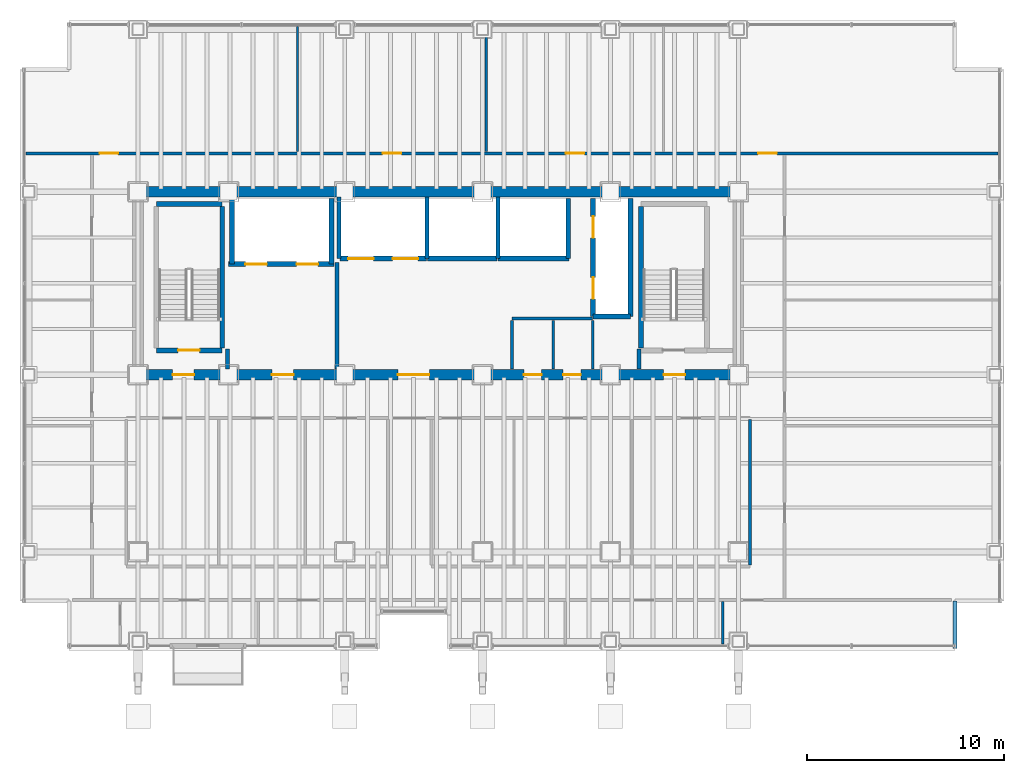
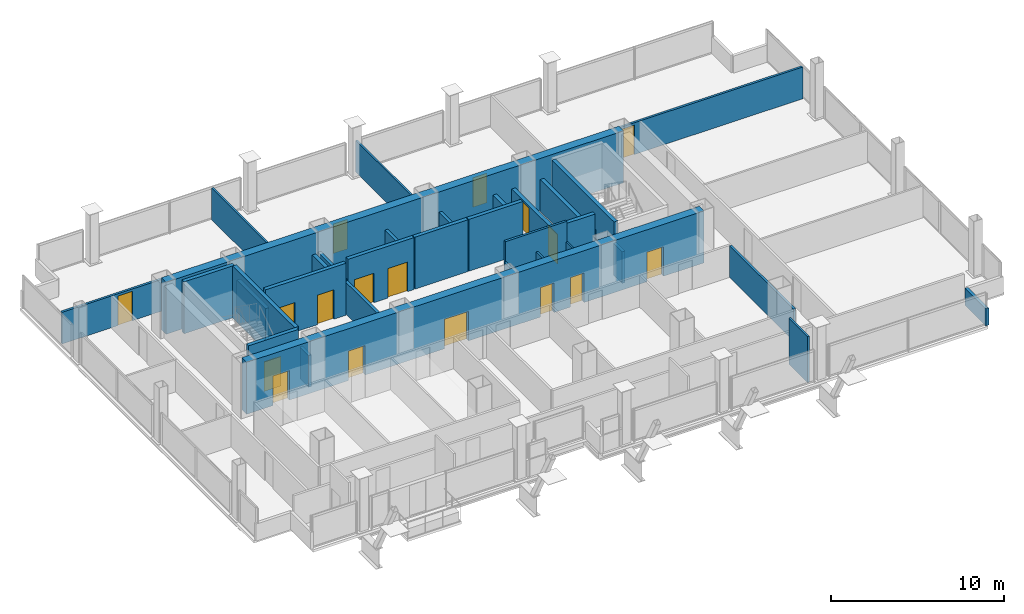
# One storey, part 19 of 21: 32 walls, 17 doors, 17 openings.
"""IFC4 building model written with IfcOpenShell, lengths in metres."""

from ifc_helpers import new_model, si_unit, direction, frame, frame_2d, origin, place, context, subcontext, project, spatial, rectangle, extrude, material, layer, layer_set, type_object, element, fill, save


model = new_model("IFC4")

# Units and contexts
model_context = context("Model", 3, precision=1e-05, world=origin(), true_north=direction((0.0, 1.0)))
body_context = subcontext(model_context, "Body", "Model", "MODEL_VIEW")
ifc_project = project(units=[si_unit("LENGTHUNIT", "METRE"), si_unit("AREAUNIT", "SQUARE_METRE"), si_unit("VOLUMEUNIT", "CUBIC_METRE"), si_unit("PLANEANGLEUNIT", "RADIAN"), si_unit("MASSUNIT", "GRAM", prefix="KILO")], contexts=[model_context])

# Site, building, storey
site_placement = place(None, origin())
site = spatial("IfcSite", under=ifc_project, at=site_placement, CompositionType="ELEMENT")
building_placement = place(site_placement, origin())
building = spatial("IfcBuilding", under=site, at=building_placement, Name="Noeulbin Bourse Tower", CompositionType="ELEMENT")
storey_placement = place(building_placement, frame((0.0, 0.0, 77.199951171875)))
storey = spatial("IfcBuildingStorey", under=building, at=storey_placement, Name="L19", CompositionType="ELEMENT", Elevation=77.199951171875)

# Wall, openings, doors
ifc_material_1 = material(Name="Concrete C60/75", Category="concrete")
ifc_layer_1 = layer(ifc_material_1, 0.550048828125)
ifc_layer_set_1 = layer_set([ifc_layer_1], Name="Concrete C60/75")
wall_type_1 = type_object("IfcWallType", Name="WAL-CORE-550", PredefinedType="SHEAR", material=ifc_layer_set_1)
wall_1_placement = place(storey_placement, frame((13.5, 29.0, 0.0), z_axis=(0.0, 0.0, 1.0), x_axis=(1.0, 0.0, 0.0)))
wall_1 = element("IfcWall", 1, at=wall_1_placement, inside=storey, type_object=wall_type_1, Name="Rear Core South Shear Wall L19", PredefinedType="SHEAR", context=body_context, shape_type="SweptSolid", body=[
    extrude(rectangle(XDim=30.5, YDim=0.550048828125, at=frame_2d((15.25, 0.0))), origin(), (0.0, 0.0, 1.0), 3.66015625),
])
opening_1_placement = place(wall_1_placement, frame((1.75, 0.0, 0.0)))
opening_1 = element("IfcOpeningElement", 2, at=opening_1_placement, cuts=wall_1, Name="Opening FD-11", PredefinedType="OPENING", context=body_context, shape_type="SweptSolid", body=[
    extrude(rectangle(XDim=1.10009765625, YDim=2.080078125, at=frame_2d((0.550048828125, 1.0400390625))), frame((0.0, 0.284912109375, 0.0), z_axis=(0.0, -1.0, 0.0), x_axis=(1.0, 0.0, 0.0)), (0.0, 0.0, 1.0), 0.570068359375),
])
opening_2_placement = place(wall_1_placement, frame((26.699951171875, 0.0, 0.0)))
opening_2 = element("IfcOpeningElement", 3, at=opening_2_placement, cuts=wall_1, Name="Opening FD-11", PredefinedType="OPENING", context=body_context, shape_type="SweptSolid", body=[
    extrude(rectangle(XDim=1.10009765625, YDim=2.080078125, at=frame_2d((0.550048828125, 1.0400390625))), frame((0.0, 0.284912109375, 0.0), z_axis=(0.0, -1.0, 0.0), x_axis=(1.0, 0.0, 0.0)), (0.0, 0.0, 1.0), 0.570068359375),
])
opening_3_placement = place(wall_1_placement, frame((6.800048828125, 0.0, 0.0)))
opening_3 = element("IfcOpeningElement", 4, at=opening_3_placement, cuts=wall_1, Name="Opening FD-11", PredefinedType="OPENING", context=body_context, shape_type="SweptSolid", body=[
    extrude(rectangle(XDim=1.10009765625, YDim=2.080078125, at=frame_2d((0.550048828125, 1.0400390625))), frame((0.0, 0.284912109375, 0.0), z_axis=(0.0, -1.0, 0.0), x_axis=(1.0, 0.0, 0.0)), (0.0, 0.0, 1.0), 0.570068359375),
])
opening_4_placement = place(wall_1_placement, frame((13.199951171875, 0.0, 0.0)))
opening_4 = element("IfcOpeningElement", 5, at=opening_4_placement, cuts=wall_1, Name="Opening ID-16", PredefinedType="OPENING", context=body_context, shape_type="SweptSolid", body=[
    extrude(rectangle(XDim=1.60009765625, YDim=2.080078125, at=frame_2d((0.800048828125, 1.0400390625))), frame((0.0, 0.284912109375, 0.0), z_axis=(0.0, -1.0, 0.0), x_axis=(1.0, 0.0, 0.0)), (0.0, 0.0, 1.0), 0.570068359375),
])
opening_5_placement = place(wall_1_placement, frame((19.60009765625, 0.0, 0.0)))
opening_5 = element("IfcOpeningElement", 6, at=opening_5_placement, cuts=wall_1, Name="Opening FD-09", PredefinedType="OPENING", context=body_context, shape_type="SweptSolid", body=[
    extrude(rectangle(XDim=0.89990234375, YDim=2.080078125, at=frame_2d((0.449951171875, 1.0400390625))), frame((0.0, 0.284912109375, 0.0), z_axis=(0.0, -1.0, 0.0), x_axis=(1.0, 0.0, 0.0)), (0.0, 0.0, 1.0), 0.570068359375),
])
opening_6_placement = place(wall_1_placement, frame((21.60009765625, 0.0, 0.0)))
opening_6 = element("IfcOpeningElement", 7, at=opening_6_placement, cuts=wall_1, Name="Opening FD-09", PredefinedType="OPENING", context=body_context, shape_type="SweptSolid", body=[
    extrude(rectangle(XDim=0.89990234375, YDim=2.080078125, at=frame_2d((0.449951171875, 1.0400390625))), frame((0.0, 0.284912109375, 0.0), z_axis=(0.0, -1.0, 0.0), x_axis=(1.0, 0.0, 0.0)), (0.0, 0.0, 1.0), 0.570068359375),
])
ifc_material_2 = material(Name="Acoustic Glazed Aluminium", Category="aluminium")
door_type_1 = type_object("IfcDoorType", Name="DR-DBL-1600", OperationType="DOUBLE_DOOR_SINGLE_SWING", PredefinedType="DOOR", material=ifc_material_2)
door_1_placement = place(opening_4_placement, origin())
door_1 = element("IfcDoor", 8, at=door_1_placement, inside=storey, type_object=door_type_1, Name="Passenger Lift Lobby Portal L19", OperationType="DOUBLE_DOOR_SINGLE_SWING", OverallHeight=2.080078125, OverallWidth=1.60009765625, PredefinedType="DOOR", context=body_context, shape_type="SweptSolid", body=[
    extrude(rectangle(XDim=1.60009765625, YDim=2.080078125, at=frame_2d((0.800048828125, 1.0400390625))), frame((0.0, 0.02490234375, 0.0), z_axis=(0.0, -1.0, 0.0), x_axis=(1.0, 0.0, 0.0)), (0.0, 0.0, 1.0), 0.050048828125),
])
fill(opening_4, door_1)
ifc_material_3 = material(Name="Fire-Rated Timber Core", Category="wood")
door_type_2 = type_object("IfcDoorType", Name="DR-FD30-900", OperationType="SINGLE_SWING_RIGHT", PredefinedType="DOOR", material=ifc_material_3)
door_2_placement = place(opening_5_placement, origin())
door_2 = element("IfcDoor", 9, at=door_2_placement, inside=storey, type_object=door_type_2, Name="Interior Door L19-05", OperationType="SINGLE_SWING_LEFT", OverallHeight=2.080078125, OverallWidth=0.89990234375, PredefinedType="DOOR", context=body_context, shape_type="SweptSolid", body=[
    extrude(rectangle(XDim=0.89990234375, YDim=2.080078125, at=frame_2d((0.449951171875, 1.0400390625))), frame((0.0, 0.02490234375, 0.0), z_axis=(0.0, -1.0, 0.0), x_axis=(1.0, 0.0, 0.0)), (0.0, 0.0, 1.0), 0.050048828125),
])
fill(opening_5, door_2)
door_3_placement = place(opening_6_placement, origin())
door_3 = element("IfcDoor", 10, at=door_3_placement, inside=storey, type_object=door_type_2, Name="Interior Door L19-06", OperationType="SINGLE_SWING_RIGHT", OverallHeight=2.080078125, OverallWidth=0.89990234375, PredefinedType="DOOR", context=body_context, shape_type="SweptSolid", body=[
    extrude(rectangle(XDim=0.89990234375, YDim=2.080078125, at=frame_2d((0.449951171875, 1.0400390625))), frame((0.0, 0.02490234375, 0.0), z_axis=(0.0, -1.0, 0.0), x_axis=(1.0, 0.0, 0.0)), (0.0, 0.0, 1.0), 0.050048828125),
])
fill(opening_6, door_3)
ifc_material_4 = material(Name="Fire-Rated Insulated Steel", Category="steel")
door_type_3 = type_object("IfcDoorType", Name="DR-FD60-1100", OperationType="SINGLE_SWING_LEFT", PredefinedType="DOOR", material=ifc_material_4)
door_4_placement = place(opening_1_placement, origin())
door_4 = element("IfcDoor", 11, at=door_4_placement, inside=storey, type_object=door_type_3, Name="West Stair Lobby Door L19", OperationType="SINGLE_SWING_LEFT", OverallHeight=2.080078125, OverallWidth=1.10009765625, PredefinedType="DOOR", context=body_context, shape_type="SweptSolid", body=[
    extrude(rectangle(XDim=1.10009765625, YDim=2.080078125, at=frame_2d((0.550048828125, 1.0400390625))), frame((0.0, 0.02490234375, 0.0), z_axis=(0.0, -1.0, 0.0), x_axis=(1.0, 0.0, 0.0)), (0.0, 0.0, 1.0), 0.050048828125),
])
fill(opening_1, door_4)
door_5_placement = place(opening_2_placement, origin())
door_5 = element("IfcDoor", 12, at=door_5_placement, inside=storey, type_object=door_type_3, Name="East Stair Lobby Door L19", OperationType="SINGLE_SWING_RIGHT", OverallHeight=2.080078125, OverallWidth=1.10009765625, PredefinedType="DOOR", context=body_context, shape_type="SweptSolid", body=[
    extrude(rectangle(XDim=1.10009765625, YDim=2.080078125, at=frame_2d((0.550048828125, 1.0400390625))), frame((0.0, 0.02490234375, 0.0), z_axis=(0.0, -1.0, 0.0), x_axis=(1.0, 0.0, 0.0)), (0.0, 0.0, 1.0), 0.050048828125),
])
fill(opening_2, door_5)
door_6_placement = place(opening_3_placement, origin())
door_6 = element("IfcDoor", 13, at=door_6_placement, inside=storey, type_object=door_type_3, Name="Firefighting Lobby Door L19", OperationType="SINGLE_SWING_LEFT", OverallHeight=2.080078125, OverallWidth=1.10009765625, PredefinedType="DOOR", context=body_context, shape_type="SweptSolid", body=[
    extrude(rectangle(XDim=1.10009765625, YDim=2.080078125, at=frame_2d((0.550048828125, 1.0400390625))), frame((0.0, 0.02490234375, 0.0), z_axis=(0.0, -1.0, 0.0), x_axis=(1.0, 0.0, 0.0)), (0.0, 0.0, 1.0), 0.050048828125),
])
fill(opening_3, door_6)

# Walls
wall_2_placement = place(storey_placement, frame((13.5, 38.300048828125, 0.0), z_axis=(0.0, 0.0, 1.0), x_axis=(1.0, 0.0, 0.0)))
element("IfcWall", 14, at=wall_2_placement, inside=storey, type_object=wall_type_1, Name="Rear Core North Shear Wall L19", PredefinedType="SHEAR", context=body_context, shape_type="SweptSolid", body=[
    extrude(rectangle(XDim=30.5, YDim=0.550048828125, at=frame_2d((15.25, 0.0))), origin(), (0.0, 0.0, 1.0), 3.66015625),
])
ifc_material_5 = material(Name="Concrete C40/50", Category="concrete")
ifc_layer_2 = layer(ifc_material_5, 0.199951171875)
ifc_layer_set_2 = layer_set([ifc_layer_2], Name="Concrete C40/50")
wall_type_2 = type_object("IfcWallType", Name="WAL-FIRE-200", PredefinedType="STANDARD", material=ifc_layer_set_2)
for number, where, z_axis, x_axis, name in (
    (15, (18.050048828125, 29.284912109375, 0.0), (0.0, 0.0, 1.0), (0.0, 1.0, 0.0), "Interior Partition Wall L19-12"),
    (16, (38.949951171875, 29.284912109375, 0.0), (0.0, 0.0, 1.0), (0.0, 1.0, 0.0), "Interior Partition Wall L19-13"),
):
    element("IfcWall", number, at=place(storey_placement, frame(where, z_axis=z_axis, x_axis=x_axis)), inside=storey, type_object=wall_type_2, Name=name, PredefinedType="STANDARD", context=body_context, shape_type="SweptSolid", body=[
        extrude(rectangle(XDim=1.01513671875, YDim=0.199951171875, at=frame_2d((0.507568359375, 0.0))), origin(), (0.0, 0.0, 1.0), 2.239990234375),
    ])
wall_3_placement = place(storey_placement, frame((23.60009765625, 29.284912109375, 0.0), z_axis=(0.0, 0.0, 1.0), x_axis=(0.0, 1.0, 0.0)))
element("IfcWall", 17, at=wall_3_placement, inside=storey, type_object=wall_type_2, Name="Interior Partition Wall L19-14", PredefinedType="STANDARD", context=body_context, shape_type="SweptSolid", body=[
    extrude(rectangle(XDim=5.4150390625, YDim=0.199951171875, at=frame_2d((2.70751953125, 0.0))), origin(), (0.0, 0.0, 1.0), 2.239990234375),
])
ifc_layer_3 = layer(ifc_material_5, 0.199951171875)
ifc_layer_set_3 = layer_set([ifc_layer_3], Name="Concrete C40/50")
wall_type_3 = type_object("IfcWallType", Name="WAL-PAR-200", PredefinedType="PARAPET", material=ifc_layer_set_3)
wall_4_placement = place(storey_placement, frame((55.0, 15.10009765625, 0.0), z_axis=(0.0, 0.0, 1.0), x_axis=(0.0, 1.0, 0.0)))
element("IfcWall", 18, at=wall_4_placement, inside=storey, type_object=wall_type_3, Name="Corner Notch Parapet L19-SE1", PredefinedType="PARAPET", context=body_context, shape_type="SweptSolid", body=[
    extrude(rectangle(XDim=2.39990234375, YDim=0.199951171875, at=frame_2d((1.199951171875, 0.0))), origin(), (0.0, 0.0, 1.0), 1.199951171875),
])
ifc_material_6 = material(Name="Steel Stud Gypsum Partition", Category="steel")
ifc_layer_4 = layer(ifc_material_6, 0.1201171875)
ifc_layer_set_4 = layer_set([ifc_layer_4], Name="Steel Stud Gypsum Partition")
wall_type_4 = type_object("IfcWallType", Name="WAL-PRT-120", PredefinedType="PARTITIONING", material=ifc_layer_set_4)
for number, where, z_axis, x_axis, name in (
    (19, (36.60009765625, 29.284912109375, 0.0), (0.0, 0.0, 1.0), (0.0, 1.0, 0.0), "Interior Partition Wall L19-16"),
    (20, (34.60009765625, 29.284912109375, 0.0), (0.0, 0.0, 1.0), (0.0, 1.0, 0.0), "Interior Partition Wall L19-17"),
):
    element("IfcWall", number, at=place(storey_placement, frame(where, z_axis=z_axis, x_axis=x_axis)), inside=storey, type_object=wall_type_4, Name=name, PredefinedType="PARTITIONING", context=body_context, shape_type="SweptSolid", body=[
        extrude(rectangle(XDim=2.47998046875, YDim=0.1201171875, at=frame_2d((1.239990234375, 0.0))), origin(), (0.0, 0.0, 1.0), 2.239990234375),
    ])
wall_5_placement = place(storey_placement, frame((43.199951171875, 15.31005859375, 0.0), z_axis=(0.0, 0.0, 1.0), x_axis=(0.0, 1.0, 0.0)))
element("IfcWall", 21, at=wall_5_placement, inside=storey, type_object=wall_type_4, Name="Interior Partition Wall L19-27", PredefinedType="PARTITIONING", context=body_context, shape_type="SweptSolid", body=[
    extrude(rectangle(XDim=2.155029296875, YDim=0.1201171875, at=frame_2d((1.07763671875, 0.0))), origin(), (0.0, 0.0, 1.0), 3.239990234375),
])
for number, where, z_axis, x_axis, name in (
    (22, (21.60009765625, 40.3349609375, 0.0), (0.0, 0.0, 1.0), (0.0, 1.0, 0.0), "Interior Partition Wall L19-32"),
    (23, (31.199951171875, 40.3349609375, 0.0), (0.0, 0.0, 1.0), (0.0, 1.0, 0.0), "Interior Partition Wall L19-33"),
):
    element("IfcWall", number, at=place(storey_placement, frame(where, z_axis=z_axis, x_axis=x_axis)), inside=storey, type_object=wall_type_4, Name=name, PredefinedType="PARTITIONING", context=body_context, shape_type="SweptSolid", body=[
        extrude(rectangle(XDim=6.35498046875, YDim=0.1201171875, at=frame_2d((3.177490234375, 0.0))), origin(), (0.0, 0.0, 1.0), 2.239990234375),
    ])
ifc_material_7 = material(Name="Steel Stud Acoustic Gypsum Board", Category="steel")
ifc_layer_5 = layer(ifc_material_7, 0.14990234375)
ifc_layer_set_5 = layer_set([ifc_layer_5], Name="Steel Stud Acoustic Gypsum Board")
wall_type_5 = type_object("IfcWallType", Name="WAL-PRT-150", PredefinedType="PARTITIONING", material=ifc_layer_set_5)
wall_6_placement = place(storey_placement, frame((32.5, 31.85009765625, 0.0), z_axis=(0.0, 0.0, 1.0), x_axis=(1.0, 0.0, 0.0)))
element("IfcWall", 24, at=wall_6_placement, inside=storey, type_object=wall_type_5, Name="Interior Partition Wall L19-02", PredefinedType="PARTITIONING", context=body_context, shape_type="SweptSolid", body=[
    extrude(rectangle(XDim=4.10009765625, YDim=0.14990234375, at=frame_2d((2.050048828125, 0.0))), origin(), (0.0, 0.0, 1.0), 3.66015625),
])

# Wall, openings, doors
wall_7_placement = place(storey_placement, frame((7.81005859375, 40.25, 0.0), z_axis=(0.0, 0.0, 1.0), x_axis=(1.0, 0.0, 0.0)))
wall_7 = element("IfcWall", 25, at=wall_7_placement, inside=storey, type_object=wall_type_5, Name="Interior Partition Wall L19-11", PredefinedType="PARTITIONING", context=body_context, shape_type="SweptSolid", body=[
    extrude(rectangle(XDim=49.3798828125, YDim=0.14990234375, at=frame_2d((24.68994140625, 0.0))), origin(), (0.0, 0.0, 1.0), 2.239990234375),
])
opening_7_placement = place(wall_7_placement, frame((3.72998046875, 0.0, 0.0)))
opening_7 = element("IfcOpeningElement", 26, at=opening_7_placement, cuts=wall_7, Name="Opening ID-09", PredefinedType="OPENING", context=body_context, shape_type="SweptSolid", body=[
    extrude(rectangle(XDim=0.949951171875, YDim=2.080078125, at=frame_2d((0.47509765625, 1.0400390625))), frame((0.0, 0.0849609375, 0.0), z_axis=(0.0, -1.0, 0.0), x_axis=(1.0, 0.0, 0.0)), (0.0, 0.0, 1.0), 0.169921875),
])
opening_8_placement = place(wall_7_placement, frame((18.114990234375, 0.0, 0.0)))
opening_8 = element("IfcOpeningElement", 27, at=opening_8_placement, cuts=wall_7, Name="Opening ID-09", PredefinedType="OPENING", context=body_context, shape_type="SweptSolid", body=[
    extrude(rectangle(XDim=0.949951171875, YDim=2.080078125, at=frame_2d((0.47509765625, 1.0400390625))), frame((0.0, 0.0849609375, 0.0), z_axis=(0.0, -1.0, 0.0), x_axis=(1.0, 0.0, 0.0)), (0.0, 0.0, 1.0), 0.169921875),
])
opening_9_placement = place(wall_7_placement, frame((27.4150390625, 0.0, 0.0)))
opening_9 = element("IfcOpeningElement", 28, at=opening_9_placement, cuts=wall_7, Name="Opening ID-09", PredefinedType="OPENING", context=body_context, shape_type="SweptSolid", body=[
    extrude(rectangle(XDim=0.949951171875, YDim=2.080078125, at=frame_2d((0.47509765625, 1.0400390625))), frame((0.0, 0.0849609375, 0.0), z_axis=(0.0, -1.0, 0.0), x_axis=(1.0, 0.0, 0.0)), (0.0, 0.0, 1.0), 0.169921875),
])
opening_10_placement = place(wall_7_placement, frame((37.199951171875, 0.0, 0.0)))
opening_10 = element("IfcOpeningElement", 29, at=opening_10_placement, cuts=wall_7, Name="Opening ID-09", PredefinedType="OPENING", context=body_context, shape_type="SweptSolid", body=[
    extrude(rectangle(XDim=0.949951171875, YDim=2.080078125, at=frame_2d((0.47509765625, 1.0400390625))), frame((0.0, 0.0849609375, 0.0), z_axis=(0.0, -1.0, 0.0), x_axis=(1.0, 0.0, 0.0)), (0.0, 0.0, 1.0), 0.169921875),
])
ifc_material_8 = material(Name="Acoustic Solid-Core Timber", Category="wood")
door_type_4 = type_object("IfcDoorType", Name="DR-SINGLE-950", OperationType="SINGLE_SWING_LEFT", PredefinedType="DOOR", material=ifc_material_8)
door_7_placement = place(opening_7_placement, origin())
door_7 = element("IfcDoor", 30, at=door_7_placement, inside=storey, type_object=door_type_4, Name="Interior Door L19-25", OperationType="SINGLE_SWING_LEFT", OverallHeight=2.080078125, OverallWidth=0.949951171875, PredefinedType="DOOR", context=body_context, shape_type="SweptSolid", body=[
    extrude(rectangle(XDim=0.949951171875, YDim=2.080078125, at=frame_2d((0.47509765625, 1.0400390625))), frame((0.0, 0.02490234375, 0.0), z_axis=(0.0, -1.0, 0.0), x_axis=(1.0, 0.0, 0.0)), (0.0, 0.0, 1.0), 0.050048828125),
])
fill(opening_7, door_7)
door_8_placement = place(opening_8_placement, origin())
door_8 = element("IfcDoor", 31, at=door_8_placement, inside=storey, type_object=door_type_4, Name="Interior Door L19-26", OperationType="SINGLE_SWING_RIGHT", OverallHeight=2.080078125, OverallWidth=0.949951171875, PredefinedType="DOOR", context=body_context, shape_type="SweptSolid", body=[
    extrude(rectangle(XDim=0.949951171875, YDim=2.080078125, at=frame_2d((0.47509765625, 1.0400390625))), frame((0.0, 0.02490234375, 0.0), z_axis=(0.0, -1.0, 0.0), x_axis=(1.0, 0.0, 0.0)), (0.0, 0.0, 1.0), 0.050048828125),
])
fill(opening_8, door_8)
door_9_placement = place(opening_9_placement, origin())
door_9 = element("IfcDoor", 32, at=door_9_placement, inside=storey, type_object=door_type_4, Name="Interior Door L19-27", OperationType="SINGLE_SWING_LEFT", OverallHeight=2.080078125, OverallWidth=0.949951171875, PredefinedType="DOOR", context=body_context, shape_type="SweptSolid", body=[
    extrude(rectangle(XDim=0.949951171875, YDim=2.080078125, at=frame_2d((0.47509765625, 1.0400390625))), frame((0.0, 0.02490234375, 0.0), z_axis=(0.0, -1.0, 0.0), x_axis=(1.0, 0.0, 0.0)), (0.0, 0.0, 1.0), 0.050048828125),
])
fill(opening_9, door_9)
door_10_placement = place(opening_10_placement, origin())
door_10 = element("IfcDoor", 33, at=door_10_placement, inside=storey, type_object=door_type_4, Name="Interior Door L19-28", OperationType="SINGLE_SWING_RIGHT", OverallHeight=2.080078125, OverallWidth=0.949951171875, PredefinedType="DOOR", context=body_context, shape_type="SweptSolid", body=[
    extrude(rectangle(XDim=0.949951171875, YDim=2.080078125, at=frame_2d((0.47509765625, 1.0400390625))), frame((0.0, 0.02490234375, 0.0), z_axis=(0.0, -1.0, 0.0), x_axis=(1.0, 0.0, 0.0)), (0.0, 0.0, 1.0), 0.050048828125),
])
fill(opening_10, door_10)

# Walls
wall_8_placement = place(storey_placement, frame((32.5, 29.284912109375, 0.0), z_axis=(0.0, 0.0, 1.0), x_axis=(0.0, 1.0, 0.0)))
element("IfcWall", 34, at=wall_8_placement, inside=storey, type_object=wall_type_5, Name="Interior Partition Wall L19-15", PredefinedType="PARTITIONING", context=body_context, shape_type="SweptSolid", body=[
    extrude(rectangle(XDim=2.47998046875, YDim=0.14990234375, at=frame_2d((1.239990234375, 0.0))), origin(), (0.0, 0.0, 1.0), 2.239990234375),
])
wall_9_placement = place(storey_placement, frame((44.60009765625, 19.3349609375, 0.0), z_axis=(0.0, 0.0, 1.0), x_axis=(0.0, 1.0, 0.0)))
element("IfcWall", 35, at=wall_9_placement, inside=storey, type_object=wall_type_5, Name="Interior Partition Wall L19-23", PredefinedType="PARTITIONING", context=body_context, shape_type="SweptSolid", body=[
    extrude(rectangle(XDim=7.380126953125, YDim=0.14990234375, at=frame_2d((3.68994140625, 0.0))), origin(), (0.0, 0.0, 1.0), 2.239990234375),
])

# Wall, opening, door
ifc_layer_6 = layer(ifc_material_5, 0.25)
ifc_layer_set_6 = layer_set([ifc_layer_6], Name="Concrete C40/50")
wall_type_6 = type_object("IfcWallType", Name="WAL-SHFT-250", PredefinedType="STANDARD", material=ifc_layer_set_6)
wall_10_placement = place(storey_placement, frame((14.429931640625, 30.235107421875, 0.0), z_axis=(0.0, 0.0, 1.0), x_axis=(1.0, 0.0, 0.0)))
wall_10 = element("IfcWall", 36, at=wall_10_placement, inside=storey, type_object=wall_type_6, Name="Stair ST-1 South Shaft Wall L19", PredefinedType="STANDARD", context=body_context, shape_type="SweptSolid", body=[
    extrude(rectangle(XDim=3.340087890625, YDim=0.25, at=frame_2d((1.669921875, 0.0))), origin(), (0.0, 0.0, 1.0), 3.66015625),
])
opening_11_placement = place(wall_10_placement, frame((1.10009765625, 0.0, 0.0)))
opening_11 = element("IfcOpeningElement", 37, at=opening_11_placement, cuts=wall_10, Name="Opening FD-11", PredefinedType="OPENING", context=body_context, shape_type="SweptSolid", body=[
    extrude(rectangle(XDim=1.10009765625, YDim=2.080078125, at=frame_2d((0.550048828125, 1.0400390625))), frame((0.0, 0.135009765625, 0.0), z_axis=(0.0, -1.0, 0.0), x_axis=(1.0, 0.0, 0.0)), (0.0, 0.0, 1.0), 0.27001953125),
])
door_11_placement = place(opening_11_placement, origin())
door_11 = element("IfcDoor", 38, at=door_11_placement, inside=storey, type_object=door_type_3, Name="Protected Stair Entry Door ST1-L19", OperationType="SINGLE_SWING_LEFT", OverallHeight=2.080078125, OverallWidth=1.10009765625, PredefinedType="DOOR", context=body_context, shape_type="SweptSolid", body=[
    extrude(rectangle(XDim=1.10009765625, YDim=2.080078125, at=frame_2d((0.550048828125, 1.0400390625))), frame((0.0, 0.02490234375, 0.0), z_axis=(0.0, -1.0, 0.0), x_axis=(1.0, 0.0, 0.0)), (0.0, 0.0, 1.0), 0.050048828125),
])
fill(opening_11, door_11)

# Walls
wall_11_placement = place(storey_placement, frame((14.429931640625, 37.6689453125, 0.0), z_axis=(0.0, 0.0, 1.0), x_axis=(1.0, 0.0, 0.0)))
element("IfcWall", 39, at=wall_11_placement, inside=storey, type_object=wall_type_6, Name="Stair ST-1 North Shaft Wall L19", PredefinedType="STANDARD", context=body_context, shape_type="SweptSolid", body=[
    extrude(rectangle(XDim=3.340087890625, YDim=0.25, at=frame_2d((1.669921875, 0.0))), origin(), (0.0, 0.0, 1.0), 3.66015625),
])
for number, where, z_axis, x_axis, name in (
    (40, (17.77490234375, 30.360107421875, 0.0), (0.0, 0.0, 1.0), (0.0, 1.0, 0.0), "Stair ST-1 East Shaft Wall L19"),
    (41, (39.054931640625, 30.360107421875, 0.0), (0.0, 0.0, 1.0), (0.0, 1.0, 0.0), "Stair ST-2 West Shaft Wall L19"),
):
    element("IfcWall", number, at=place(storey_placement, frame(where, z_axis=z_axis, x_axis=x_axis)), inside=storey, type_object=wall_type_6, Name=name, PredefinedType="STANDARD", context=body_context, shape_type="SweptSolid", body=[
        extrude(rectangle(XDim=7.183837890625, YDim=0.25, at=frame_2d((3.591796875, 0.0))), origin(), (0.0, 0.0, 1.0), 3.66015625),
    ])

# Wall, openings, doors
wall_12_placement = place(storey_placement, frame((18.10009765625, 34.6201171875, 0.0), z_axis=(0.0, 0.0, 1.0), x_axis=(1.0, 0.0, 0.0)))
wall_12 = element("IfcWall", 42, at=wall_12_placement, inside=storey, type_object=wall_type_6, Name="Firefighting Lift Shaft Front L19", PredefinedType="STANDARD", context=body_context, shape_type="SweptSolid", body=[
    extrude(rectangle(XDim=5.349853515625, YDim=0.25, at=frame_2d((2.6748046875, 0.0))), origin(), (0.0, 0.0, 1.0), 3.66015625),
])
opening_12_placement = place(wall_12_placement, frame((0.85009765625, 0.0, 0.0)))
opening_12 = element("IfcOpeningElement", 43, at=opening_12_placement, cuts=wall_12, Name="Opening LD-11", PredefinedType="OPENING", context=body_context, shape_type="SweptSolid", body=[
    extrude(rectangle(XDim=1.10009765625, YDim=2.080078125, at=frame_2d((0.550048828125, 1.0400390625))), frame((0.0, 0.135009765625, 0.0), z_axis=(0.0, -1.0, 0.0), x_axis=(1.0, 0.0, 0.0)), (0.0, 0.0, 1.0), 0.27001953125),
])
opening_13_placement = place(wall_12_placement, frame((3.449951171875, 0.0, 0.0)))
opening_13 = element("IfcOpeningElement", 44, at=opening_13_placement, cuts=wall_12, Name="Opening LD-11", PredefinedType="OPENING", context=body_context, shape_type="SweptSolid", body=[
    extrude(rectangle(XDim=1.10009765625, YDim=2.080078125, at=frame_2d((0.550048828125, 1.0400390625))), frame((0.0, 0.135009765625, 0.0), z_axis=(0.0, -1.0, 0.0), x_axis=(1.0, 0.0, 0.0)), (0.0, 0.0, 1.0), 0.27001953125),
])
ifc_material_9 = material(Name="Brushed Stainless Steel 316", Category="steel")
door_type_5 = type_object("IfcDoorType", Name="DR-LIFT-1100", OperationType="SLIDING_TO_LEFT", PredefinedType="DOOR", material=ifc_material_9)
door_12_placement = place(opening_12_placement, origin())
door_12 = element("IfcDoor", 45, at=door_12_placement, inside=storey, type_object=door_type_5, Name="Lift Landing Door LD-FL-01-L19", OperationType="SLIDING_TO_LEFT", OverallHeight=2.080078125, OverallWidth=1.10009765625, PredefinedType="DOOR", context=body_context, shape_type="SweptSolid", body=[
    extrude(rectangle(XDim=1.10009765625, YDim=2.080078125, at=frame_2d((0.550048828125, 1.0400390625))), frame((0.0, 0.02490234375, 0.0), z_axis=(0.0, -1.0, 0.0), x_axis=(1.0, 0.0, 0.0)), (0.0, 0.0, 1.0), 0.050048828125),
])
fill(opening_12, door_12)
door_13_placement = place(opening_13_placement, origin())
door_13 = element("IfcDoor", 46, at=door_13_placement, inside=storey, type_object=door_type_5, Name="Lift Landing Door LD-FL-02-L19", OperationType="SLIDING_TO_LEFT", OverallHeight=2.080078125, OverallWidth=1.10009765625, PredefinedType="DOOR", context=body_context, shape_type="SweptSolid", body=[
    extrude(rectangle(XDim=1.10009765625, YDim=2.080078125, at=frame_2d((0.550048828125, 1.0400390625))), frame((0.0, 0.02490234375, 0.0), z_axis=(0.0, -1.0, 0.0), x_axis=(1.0, 0.0, 0.0)), (0.0, 0.0, 1.0), 0.050048828125),
])
fill(opening_13, door_13)

wall_13_placement = place(storey_placement, frame((36.6201171875, 31.949951171875, 0.0), z_axis=(0.0, 0.0, 1.0), x_axis=(0.0, 1.0, 0.0)))
wall_13 = element("IfcWall", 47, at=wall_13_placement, inside=storey, type_object=wall_type_6, Name="Service Lift Shaft Wall L19", PredefinedType="STANDARD", context=body_context, shape_type="SweptSolid", body=[
    extrude(rectangle(XDim=6.0, YDim=0.25, at=frame_2d((3.0, 0.0))), origin(), (0.0, 0.0, 1.0), 2.239990234375),
])
opening_14_placement = place(wall_13_placement, frame((0.89990234375, 0.0, 0.0)))
opening_14 = element("IfcOpeningElement", 48, at=opening_14_placement, cuts=wall_13, Name="Opening LD-11", PredefinedType="OPENING", context=body_context, shape_type="SweptSolid", body=[
    extrude(rectangle(XDim=1.10009765625, YDim=2.080078125, at=frame_2d((0.550048828125, 1.0400390625))), frame((0.0, 0.135009765625, 0.0), z_axis=(0.0, -1.0, 0.0), x_axis=(1.0, 0.0, 0.0)), (0.0, 0.0, 1.0), 0.27001953125),
])
opening_15_placement = place(wall_13_placement, frame((4.0, 0.0, 0.0)))
opening_15 = element("IfcOpeningElement", 49, at=opening_15_placement, cuts=wall_13, Name="Opening LD-11", PredefinedType="OPENING", context=body_context, shape_type="SweptSolid", body=[
    extrude(rectangle(XDim=1.10009765625, YDim=2.080078125, at=frame_2d((0.550048828125, 1.0400390625))), frame((0.0, 0.135009765625, 0.0), z_axis=(0.0, -1.0, 0.0), x_axis=(1.0, 0.0, 0.0)), (0.0, 0.0, 1.0), 0.27001953125),
])
door_14_placement = place(opening_14_placement, origin())
door_14 = element("IfcDoor", 50, at=door_14_placement, inside=storey, type_object=door_type_5, Name="Lift Landing Door LD-EL-01-L19", OperationType="SLIDING_TO_LEFT", OverallHeight=2.080078125, OverallWidth=1.10009765625, PredefinedType="DOOR", context=body_context, shape_type="SweptSolid", body=[
    extrude(rectangle(XDim=1.10009765625, YDim=2.080078125, at=frame_2d((0.550048828125, 1.0400390625))), frame((0.0, 0.02490234375, 0.0), z_axis=(0.0, -1.0, 0.0), x_axis=(1.0, 0.0, 0.0)), (0.0, 0.0, 1.0), 0.050048828125),
])
fill(opening_14, door_14)
door_15_placement = place(opening_15_placement, origin())
door_15 = element("IfcDoor", 51, at=door_15_placement, inside=storey, type_object=door_type_5, Name="Lift Landing Door LD-SV-01-L19", OperationType="SLIDING_TO_LEFT", OverallHeight=2.080078125, OverallWidth=1.10009765625, PredefinedType="DOOR", context=body_context, shape_type="SweptSolid", body=[
    extrude(rectangle(XDim=1.10009765625, YDim=2.080078125, at=frame_2d((0.550048828125, 1.0400390625))), frame((0.0, 0.02490234375, 0.0), z_axis=(0.0, -1.0, 0.0), x_axis=(1.0, 0.0, 0.0)), (0.0, 0.0, 1.0), 0.050048828125),
])
fill(opening_15, door_15)

# Walls
wall_14_placement = place(storey_placement, frame((38.52001953125, 31.949951171875, 0.0), z_axis=(0.0, 0.0, 1.0), x_axis=(0.0, 1.0, 0.0)))
element("IfcWall", 52, at=wall_14_placement, inside=storey, type_object=wall_type_6, Name="Service Lift East Shaft Wall L19", PredefinedType="STANDARD", context=body_context, shape_type="SweptSolid", body=[
    extrude(rectangle(XDim=6.0, YDim=0.25, at=frame_2d((3.0, 0.0))), origin(), (0.0, 0.0, 1.0), 2.239990234375),
])
wall_15_placement = place(storey_placement, frame((36.6201171875, 31.949951171875, 0.0), z_axis=(0.0, 0.0, 1.0), x_axis=(1.0, 0.0, 0.0)))
element("IfcWall", 53, at=wall_15_placement, inside=storey, type_object=wall_type_6, Name="Service Lift South Shaft Wall L19", PredefinedType="STANDARD", context=body_context, shape_type="SweptSolid", body=[
    extrude(rectangle(XDim=1.89990234375, YDim=0.25, at=frame_2d((0.949951171875, 0.0))), origin(), (0.0, 0.0, 1.0), 3.47998046875),
])
for number, where, z_axis, x_axis, name in (
    (54, (18.280029296875, 34.6201171875, 0.0), (0.0, 0.0, 1.0), (0.0, 1.0, 0.0), "Firefighting Lift West Shaft Wall L19"),
    (55, (23.320068359375, 34.6201171875, 0.0), (0.0, 0.0, 1.0), (0.0, 1.0, 0.0), "Firefighting Lift East Shaft Wall L19"),
):
    element("IfcWall", number, at=place(storey_placement, frame(where, z_axis=z_axis, x_axis=x_axis)), inside=storey, type_object=wall_type_6, Name=name, PredefinedType="STANDARD", context=body_context, shape_type="SweptSolid", body=[
        extrude(rectangle(XDim=3.329833984375, YDim=0.25, at=frame_2d((1.6650390625, 0.0))), origin(), (0.0, 0.0, 1.0), 2.239990234375),
    ])
wall_16_placement = place(storey_placement, frame((35.360107421875, 34.89990234375, 0.0), z_axis=(0.0, 0.0, 1.0), x_axis=(0.0, 1.0, 0.0)))
element("IfcWall", 56, at=wall_16_placement, inside=storey, type_object=wall_type_6, Name="High-Rise Lift East Shaft Wall L19", PredefinedType="STANDARD", context=body_context, shape_type="SweptSolid", body=[
    extrude(rectangle(XDim=3.050048828125, YDim=0.25, at=frame_2d((1.52490234375, 0.0))), origin(), (0.0, 0.0, 1.0), 2.239990234375),
])

# Wall, openings, doors
wall_17_placement = place(storey_placement, frame((23.75, 34.89990234375, 0.0), z_axis=(0.0, 0.0, 1.0), x_axis=(1.0, 0.0, 0.0)))
wall_17 = element("IfcWall", 57, at=wall_17_placement, inside=storey, type_object=wall_type_6, Name="Low-Rise Lift Bank Front L19", PredefinedType="STANDARD", context=body_context, shape_type="SweptSolid", body=[
    extrude(rectangle(XDim=4.39990234375, YDim=0.25, at=frame_2d((2.199951171875, 0.0))), origin(), (0.0, 0.0, 1.0), 3.66015625),
])
opening_16_placement = place(wall_17_placement, frame((0.419921875, 0.0, 0.0)))
opening_16 = element("IfcOpeningElement", 58, at=opening_16_placement, cuts=wall_17, Name="Opening LD-13", PredefinedType="OPENING", context=body_context, shape_type="SweptSolid", body=[
    extrude(rectangle(XDim=1.300048828125, YDim=2.080078125, at=frame_2d((0.64990234375, 1.0400390625))), frame((0.0, 0.135009765625, 0.0), z_axis=(0.0, -1.0, 0.0), x_axis=(1.0, 0.0, 0.0)), (0.0, 0.0, 1.0), 0.27001953125),
])
opening_17_placement = place(wall_17_placement, frame((2.679931640625, 0.0, 0.0)))
opening_17 = element("IfcOpeningElement", 59, at=opening_17_placement, cuts=wall_17, Name="Opening LD-13", PredefinedType="OPENING", context=body_context, shape_type="SweptSolid", body=[
    extrude(rectangle(XDim=1.300048828125, YDim=2.080078125, at=frame_2d((0.64990234375, 1.0400390625))), frame((0.0, 0.135009765625, 0.0), z_axis=(0.0, -1.0, 0.0), x_axis=(1.0, 0.0, 0.0)), (0.0, 0.0, 1.0), 0.27001953125),
])
door_type_6 = type_object("IfcDoorType", Name="DR-LIFT-1300", OperationType="DOUBLE_DOOR_SLIDING", PredefinedType="DOOR", material=ifc_material_9)
door_16_placement = place(opening_16_placement, origin())
door_16 = element("IfcDoor", 60, at=door_16_placement, inside=storey, type_object=door_type_6, Name="Lift Landing Door LD-PL-L1-L19", OperationType="DOUBLE_DOOR_SLIDING", OverallHeight=2.080078125, OverallWidth=1.300048828125, PredefinedType="DOOR", context=body_context, shape_type="SweptSolid", body=[
    extrude(rectangle(XDim=1.300048828125, YDim=2.080078125, at=frame_2d((0.64990234375, 1.0400390625))), frame((0.0, 0.02490234375, 0.0), z_axis=(0.0, -1.0, 0.0), x_axis=(1.0, 0.0, 0.0)), (0.0, 0.0, 1.0), 0.050048828125),
])
fill(opening_16, door_16)
door_17_placement = place(opening_17_placement, origin())
door_17 = element("IfcDoor", 61, at=door_17_placement, inside=storey, type_object=door_type_6, Name="Lift Landing Door LD-PL-L2-L19", OperationType="DOUBLE_DOOR_SLIDING", OverallHeight=2.080078125, OverallWidth=1.300048828125, PredefinedType="DOOR", context=body_context, shape_type="SweptSolid", body=[
    extrude(rectangle(XDim=1.300048828125, YDim=2.080078125, at=frame_2d((0.64990234375, 1.0400390625))), frame((0.0, 0.02490234375, 0.0), z_axis=(0.0, -1.0, 0.0), x_axis=(1.0, 0.0, 0.0)), (0.0, 0.0, 1.0), 0.050048828125),
])
fill(opening_17, door_17)

# Walls
wall_18_placement = place(storey_placement, frame((28.199951171875, 34.89990234375, 0.0), z_axis=(0.0, 0.0, 1.0), x_axis=(1.0, 0.0, 0.0)))
element("IfcWall", 62, at=wall_18_placement, inside=storey, type_object=wall_type_6, Name="Mid-Rise Lift Bank Front L19", PredefinedType="STANDARD", context=body_context, shape_type="SweptSolid", body=[
    extrude(rectangle(XDim=3.550048828125, YDim=0.25, at=frame_2d((1.77490234375, 0.0))), origin(), (0.0, 0.0, 1.0), 3.66015625),
])
wall_19_placement = place(storey_placement, frame((31.800048828125, 34.89990234375, 0.0), z_axis=(0.0, 0.0, 1.0), x_axis=(1.0, 0.0, 0.0)))
element("IfcWall", 63, at=wall_19_placement, inside=storey, type_object=wall_type_6, Name="High-Rise Lift Bank Front L19", PredefinedType="STANDARD", context=body_context, shape_type="SweptSolid", body=[
    extrude(rectangle(XDim=3.599853515625, YDim=0.25, at=frame_2d((1.7998046875, 0.0))), origin(), (0.0, 0.0, 1.0), 3.66015625),
])
for number, where, z_axis, x_axis, name in (
    (64, (23.719970703125, 34.89990234375, 0.0), (0.0, 0.0, 1.0), (0.0, 1.0, 0.0), "Hoistway Side Shaft Wall L19-PLLW"),
    (65, (28.179931640625, 34.89990234375, 0.0), (0.0, 0.0, 1.0), (0.0, 1.0, 0.0), "Hoistway Side Shaft Wall L19-PLMW"),
    (66, (31.780029296875, 34.89990234375, 0.0), (0.0, 0.0, 1.0), (0.0, 1.0, 0.0), "Hoistway Side Shaft Wall L19-PLHW"),
):
    element("IfcWall", number, at=place(storey_placement, frame(where, z_axis=z_axis, x_axis=x_axis)), inside=storey, type_object=wall_type_6, Name=name, PredefinedType="STANDARD", context=body_context, shape_type="SweptSolid", body=[
        extrude(rectangle(XDim=3.1201171875, YDim=0.199951171875, at=frame_2d((1.56005859375, 0.0))), origin(), (0.0, 0.0, 1.0), 2.239990234375),
    ])

save(model, "model.ifc")
